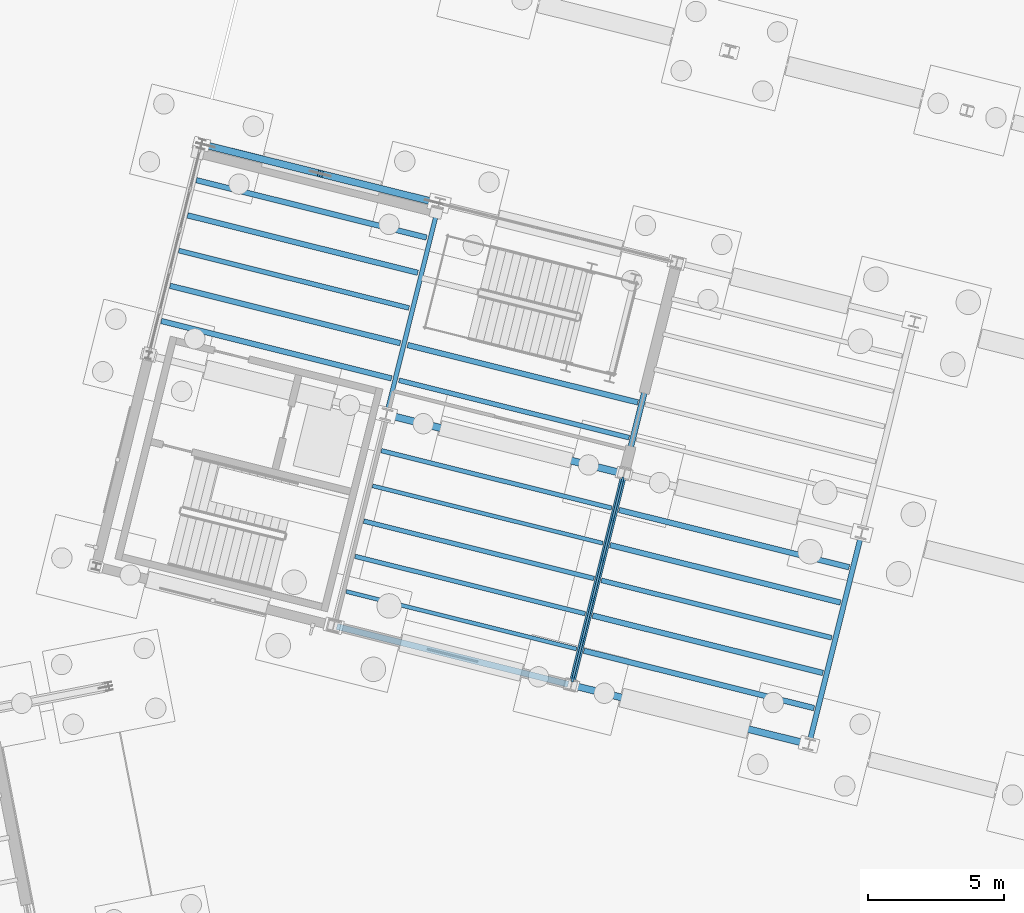
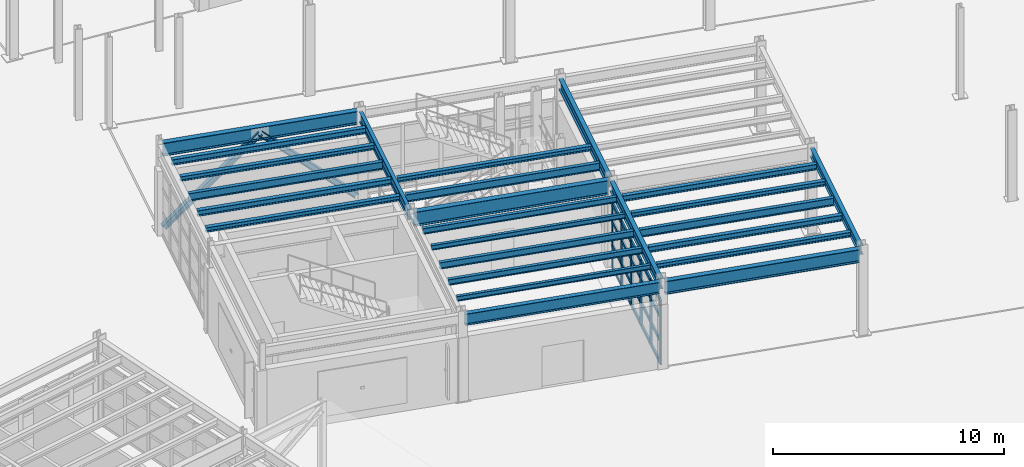
# One storey, part 40 of 108: 28 members, 25 beams, 1 element without a shape of its own.
"""IFC4 building model written with IfcOpenShell, lengths in metres."""

from ifc_helpers import new_model, si_unit, direction, frame, origin, origin_2d, place, context, subcontext, project, spatial, rectangle, i_section, extrude, material, layer, layer_set, material_profile, profile_set, type_object, element, aggregate, save


model = new_model("IFC4")

# Units and contexts
model_context = context("Model", 3, precision=1e-05, world=origin(), true_north=direction((0.0, 1.0)))
body_context = subcontext(model_context, "Body", "Model", "MODEL_VIEW")
ifc_project = project(units=[si_unit("LENGTHUNIT", "METRE"), si_unit("AREAUNIT", "SQUARE_METRE"), si_unit("VOLUMEUNIT", "CUBIC_METRE"), si_unit("PLANEANGLEUNIT", "RADIAN"), si_unit("MASSUNIT", "GRAM", prefix="KILO")], contexts=[model_context])

# Site, building, storey
site_placement = place(None, origin())
site = spatial("IfcSite", under=ifc_project, at=site_placement, CompositionType="ELEMENT")
building_placement = place(site_placement, origin())
building = spatial("IfcBuilding", under=site, at=building_placement, Name="Vireo Bluff Cable Station", CompositionType="ELEMENT")
storey_placement = place(building_placement, origin())
storey = spatial("IfcBuildingStorey", under=building, at=storey_placement, Name="L00", CompositionType="ELEMENT", Elevation=0.0)

# Beams
ifc_material_1 = material(Name="Steel ASTM A992 Gr. 50", Category="steel")
ifc_material_profile_1 = material_profile(ifc_material_1, i_section(OverallWidth=0.166015625, OverallDepth=0.528076171875, WebThickness=0.009765625, FlangeThickness=0.013671875, FilletRadius=0.012939453125, at=origin_2d()), Name="W21X50")
ifc_profile_set_1 = profile_set([ifc_material_profile_1], Name="Steel ASTM A992 Gr. 50")
beam_type_1 = type_object("IfcBeamType", Name="BM-W21X50", PredefinedType="BEAM", material=ifc_profile_set_1)
beam_1_placement = place(storey_placement, frame((64.697021484375, 43.701416015625, 4.27587890625), z_axis=(0.241935966891, 0.970292217801, 0.0), x_axis=(-0.970292217801, 0.241935966891, 0.0)))
element("IfcBeam", 1, at=beam_1_placement, inside=storey, type_object=beam_type_1, Name="V1 L00 beam 13", PredefinedType="BEAM", context=body_context, shape_type="SweptSolid", body=[
    extrude(i_section(OverallWidth=0.166015625, OverallDepth=0.528076171875, WebThickness=0.009765625, FlangeThickness=0.013671875, FilletRadius=0.012939453125, at=origin_2d()), origin(), (0.0, 0.0, 1.0), 7.760009765625),
])
ifc_material_profile_2 = material_profile(ifc_material_1, i_section(OverallWidth=0.2099609375, OverallDepth=0.535888671875, WebThickness=0.010986328125, FlangeThickness=0.017333984375, FilletRadius=0.012939453125, at=origin_2d()), Name="W21X68")
ifc_profile_set_2 = profile_set([ifc_material_profile_2], Name="Steel ASTM A992 Gr. 50")
beam_type_2 = type_object("IfcBeamType", Name="BM-W21X68", PredefinedType="BEAM", material=ifc_profile_set_2)
beam_2_placement = place(storey_placement, frame((71.494384765625, 33.761962890625, 4.27197265625), z_axis=(0.241913731831, 0.970297761696, 0.0), x_axis=(-0.970297761696, 0.241913731831, 0.0)))
element("IfcBeam", 2, at=beam_2_placement, inside=storey, type_object=beam_type_2, Name="V1 L00 beam 14", PredefinedType="BEAM", context=body_context, shape_type="SweptSolid", body=[
    extrude(i_section(OverallWidth=0.2099609375, OverallDepth=0.535888671875, WebThickness=0.010986328125, FlangeThickness=0.017333984375, FilletRadius=0.012939453125, at=origin_2d()), origin(), (0.0, 0.0, 1.0), 7.759765625),
])
ifc_material_profile_3 = material_profile(ifc_material_1, i_section(OverallWidth=0.214111328125, OverallDepth=0.549072265625, WebThickness=0.0146484375, FlangeThickness=0.023681640625, FilletRadius=0.012939453125, at=origin_2d()), Name="W21X93")
ifc_profile_set_3 = profile_set([ifc_material_profile_3], Name="Steel ASTM A992 Gr. 50")
beam_type_3 = type_object("IfcBeamType", Name="BM-W21X93", PredefinedType="BEAM", material=ifc_profile_set_3)
beam_3_placement = place(storey_placement, frame((73.4296875, 41.524169921875, 4.265380859375), z_axis=(0.241935966891, 0.970292217801, 0.0), x_axis=(-0.970292217801, 0.241935966891, 0.0)))
element("IfcBeam", 3, at=beam_3_placement, inside=storey, type_object=beam_type_3, Name="V1 L00 beam 15", PredefinedType="BEAM", context=body_context, shape_type="SweptSolid", body=[
    extrude(i_section(OverallWidth=0.214111328125, OverallDepth=0.549072265625, WebThickness=0.0146484375, FlangeThickness=0.023681640625, FilletRadius=0.012939453125, at=origin_2d()), origin(), (0.0, 0.0, 1.0), 7.760009765625),
])

# Members
ifc_material_profile_4 = material_profile(ifc_material_1, i_section(OverallWidth=0.2548828125, OverallDepth=0.256103515625, WebThickness=0.009521484375, FlangeThickness=0.015625, FilletRadius=0.009033203125, at=origin_2d()), Name="W10X54")
ifc_profile_set_4 = profile_set([ifc_material_profile_4], Name="Steel ASTM A992 Gr. 50")
member_type_1 = type_object("IfcMemberType", Name="BRC-02", PredefinedType="BRACE", material=ifc_profile_set_4)
member_1_placement = place(storey_placement, frame((58.02587890625, 53.486083984375, 0.0400390625), z_axis=(0.702103885307, -0.175068050943, 0.690218307331), x_axis=(0.241939969626, 0.970291219736, 0.0)))
element("IfcMember", 4, at=member_1_placement, inside=storey, type_object=member_type_1, Name="V1 L00 concentric brace 1L", PredefinedType="BRACE", context=body_context, shape_type="SweptSolid", body=[
    extrude(i_section(OverallWidth=0.2548828125, OverallDepth=0.256103515625, WebThickness=0.009521484375, FlangeThickness=0.015625, FilletRadius=0.009033203125, at=origin_2d()), origin(), (0.0, 0.0, 1.0), 5.998046875),
])
ifc_material_profile_5 = material_profile(ifc_material_1, i_section(OverallWidth=0.257080078125, OverallDepth=0.263916015625, WebThickness=0.011962890625, FlangeThickness=0.01953125, FilletRadius=0.009033203125, at=origin_2d()), Name="W10X68")
ifc_profile_set_5 = profile_set([ifc_material_profile_5], Name="Steel ASTM A992 Gr. 50")
member_type_2 = type_object("IfcMemberType", Name="BRC-03", PredefinedType="BRACE", material=ifc_profile_set_5)
member_2_placement = place(storey_placement, frame((66.4482421875, 51.38623046875, 0.0400390625), z_axis=(-0.702108887955, 0.175028594017, 0.690223225291), x_axis=(-0.241887009228, -0.970304423759, 0.0)))
element("IfcMember", 5, at=member_2_placement, inside=storey, type_object=member_type_2, Name="V1 L00 concentric brace 2R", PredefinedType="BRACE", context=body_context, shape_type="SweptSolid", body=[
    extrude(i_section(OverallWidth=0.257080078125, OverallDepth=0.263916015625, WebThickness=0.011962890625, FlangeThickness=0.01953125, FilletRadius=0.009033203125, at=origin_2d()), origin(), (0.0, 0.0, 1.0), 5.997802734375),
])

# Curtain wall, members
ifc_material_2 = material(Name="Anodized Aluminium 6063-T6", Category="aluminium")
ifc_layer = layer(ifc_material_2, 0.179931640625, Name="Anodized Aluminium 6063-T6")
ifc_layer_set = layer_set([ifc_layer], Name="Anodized Aluminium 6063-T6")
curtain_wall_type = type_object("IfcCurtainWallType", Name="CW-UNIT-1400", PredefinedType="USERDEFINED", material=ifc_layer_set)
curtain_wall_placement = place(storey_placement, origin())
curtain_wall = element("IfcCurtainWall", 6, at=curtain_wall_placement, inside=storey, type_object=curtain_wall_type, Name="V1 L00 east curtain wall CW-003", ObjectType="UNITISED CURTAIN WALL", PredefinedType="USERDEFINED")
ifc_material_profile_6 = material_profile(ifc_material_2, rectangle(XDim=0.080078125, YDim=0.239990234375, at=origin_2d()), Name="ALU-M-80X240")
ifc_profile_set_6 = profile_set([ifc_material_profile_6], Name="Anodized Aluminium 6063-T6")
member_type_3 = type_object("IfcMemberType", Name="CWM-04", PredefinedType="MULLION", material=ifc_profile_set_6)
member_3_placement = place(storey_placement, frame((73.340087890625, 41.164794921875, 0.0), z_axis=(0.0, 0.0, 1.0), x_axis=(0.970295706199, -0.241921976125, 0.0)))
member_3 = element("IfcMember", 7, at=member_3_placement, type_object=member_type_3, Name="CW-003 mullion 1", PredefinedType="MULLION", context=body_context, shape_type="SweptSolid", body=[
    extrude(rectangle(XDim=0.080078125, YDim=0.239990234375, at=origin_2d()), origin(), (0.0, 0.0, 1.0), 3.39990234375),
])
member_4_placement = place(storey_placement, frame((72.982666015625, 39.73095703125, 0.0), z_axis=(0.0, 0.0, 1.0), x_axis=(0.970295706199, -0.241921976125, 0.0)))
member_4 = element("IfcMember", 8, at=member_4_placement, type_object=member_type_3, Name="CW-003 mullion 2", PredefinedType="MULLION", context=body_context, shape_type="SweptSolid", body=[
    extrude(rectangle(XDim=0.080078125, YDim=0.239990234375, at=origin_2d()), origin(), (0.0, 0.0, 1.0), 3.39990234375),
])
member_5_placement = place(storey_placement, frame((72.615478515625, 38.258544921875, 0.0), z_axis=(0.0, 0.0, 1.0), x_axis=(0.970295706199, -0.241921976125, 0.0)))
member_5 = element("IfcMember", 9, at=member_5_placement, type_object=member_type_3, Name="CW-003 mullion 3", PredefinedType="MULLION", context=body_context, shape_type="SweptSolid", body=[
    extrude(rectangle(XDim=0.080078125, YDim=0.239990234375, at=origin_2d()), origin(), (0.0, 0.0, 1.0), 3.39990234375),
])
member_6_placement = place(storey_placement, frame((72.248291015625, 36.785888671875, 0.0), z_axis=(0.0, 0.0, 1.0), x_axis=(0.970295706199, -0.241921976125, 0.0)))
member_6 = element("IfcMember", 10, at=member_6_placement, type_object=member_type_3, Name="CW-003 mullion 4", PredefinedType="MULLION", context=body_context, shape_type="SweptSolid", body=[
    extrude(rectangle(XDim=0.080078125, YDim=0.239990234375, at=origin_2d()), origin(), (0.0, 0.0, 1.0), 3.39990234375),
])
member_7_placement = place(storey_placement, frame((71.881103515625, 35.3134765625, 0.0), z_axis=(0.0, 0.0, 1.0), x_axis=(0.970295706199, -0.241921976125, 0.0)))
member_7 = element("IfcMember", 11, at=member_7_placement, type_object=member_type_3, Name="CW-003 mullion 5", PredefinedType="MULLION", context=body_context, shape_type="SweptSolid", body=[
    extrude(rectangle(XDim=0.080078125, YDim=0.239990234375, at=origin_2d()), origin(), (0.0, 0.0, 1.0), 3.39990234375),
])
member_8_placement = place(storey_placement, frame((71.523681640625, 33.879638671875, 0.0), z_axis=(0.0, 0.0, 1.0), x_axis=(0.970295706199, -0.241921976125, 0.0)))
member_8 = element("IfcMember", 12, at=member_8_placement, type_object=member_type_3, Name="CW-003 mullion 6", PredefinedType="MULLION", context=body_context, shape_type="SweptSolid", body=[
    extrude(rectangle(XDim=0.080078125, YDim=0.239990234375, at=origin_2d()), origin(), (0.0, 0.0, 1.0), 3.39990234375),
])
ifc_material_profile_7 = material_profile(ifc_material_2, rectangle(XDim=0.080078125, YDim=0.175048828125, at=origin_2d()), Name="ALU-T-80X175")
ifc_profile_set_7 = profile_set([ifc_material_profile_7], Name="Anodized Aluminium 6063-T6")
member_type_4 = type_object("IfcMemberType", Name="CWT-04", PredefinedType="USERDEFINED", material=ifc_profile_set_7)
member_9_placement = place(storey_placement, frame((73.330322265625, 41.1259765625, 0.0400390625), z_axis=(-0.241754632145, -0.970337414427, 0.0), x_axis=(0.970337414427, -0.241754632145, 0.0)))
member_9 = element("IfcMember", 13, at=member_9_placement, type_object=member_type_4, Name="CW-003 transom 1.1", ObjectType="TRANSOM", PredefinedType="USERDEFINED", context=body_context, shape_type="SweptSolid", body=[
    extrude(rectangle(XDim=0.080078125, YDim=0.175048828125, at=origin_2d()), origin(), (0.0, 0.0, 1.0), 1.397705078125),
])
member_10_placement = place(storey_placement, frame((73.330322265625, 41.1259765625, 1.18994140625), z_axis=(-0.241754632145, -0.970337414427, 0.0), x_axis=(0.970337414427, -0.241754632145, 0.0)))
member_10 = element("IfcMember", 14, at=member_10_placement, type_object=member_type_4, Name="CW-003 transom 1.2", ObjectType="TRANSOM", PredefinedType="USERDEFINED", context=body_context, shape_type="SweptSolid", body=[
    extrude(rectangle(XDim=0.080078125, YDim=0.175048828125, at=origin_2d()), origin(), (0.0, 0.0, 1.0), 1.397705078125),
])
member_11_placement = place(storey_placement, frame((73.330322265625, 41.1259765625, 2.447998046875), z_axis=(-0.241754632145, -0.970337414427, 0.0), x_axis=(0.970337414427, -0.241754632145, 0.0)))
member_11 = element("IfcMember", 15, at=member_11_placement, type_object=member_type_4, Name="CW-003 transom 1.3", ObjectType="TRANSOM", PredefinedType="USERDEFINED", context=body_context, shape_type="SweptSolid", body=[
    extrude(rectangle(XDim=0.080078125, YDim=0.175048828125, at=origin_2d()), origin(), (0.0, 0.0, 1.0), 1.397705078125),
])
member_12_placement = place(storey_placement, frame((73.330322265625, 41.1259765625, 3.360107421875), z_axis=(-0.241754632145, -0.970337414427, 0.0), x_axis=(0.970337414427, -0.241754632145, 0.0)))
member_12 = element("IfcMember", 16, at=member_12_placement, type_object=member_type_4, Name="CW-003 transom 1.4", ObjectType="TRANSOM", PredefinedType="USERDEFINED", context=body_context, shape_type="SweptSolid", body=[
    extrude(rectangle(XDim=0.080078125, YDim=0.175048828125, at=origin_2d()), origin(), (0.0, 0.0, 1.0), 1.397705078125),
])
member_13_placement = place(storey_placement, frame((72.972900390625, 39.692138671875, 0.0400390625), z_axis=(-0.241856194235, -0.970312105103, 0.0), x_axis=(0.970312105103, -0.241856194235, 0.0)))
member_13 = element("IfcMember", 17, at=member_13_placement, type_object=member_type_4, Name="CW-003 transom 2.1", ObjectType="TRANSOM", PredefinedType="USERDEFINED", context=body_context, shape_type="SweptSolid", body=[
    extrude(rectangle(XDim=0.080078125, YDim=0.175048828125, at=origin_2d()), origin(), (0.0, 0.0, 1.0), 1.4375),
])
member_14_placement = place(storey_placement, frame((72.972900390625, 39.692138671875, 1.18994140625), z_axis=(-0.241856194235, -0.970312105103, 0.0), x_axis=(0.970312105103, -0.241856194235, 0.0)))
member_14 = element("IfcMember", 18, at=member_14_placement, type_object=member_type_4, Name="CW-003 transom 2.2", ObjectType="TRANSOM", PredefinedType="USERDEFINED", context=body_context, shape_type="SweptSolid", body=[
    extrude(rectangle(XDim=0.080078125, YDim=0.175048828125, at=origin_2d()), origin(), (0.0, 0.0, 1.0), 1.4375),
])
member_15_placement = place(storey_placement, frame((72.972900390625, 39.692138671875, 2.447998046875), z_axis=(-0.241856194235, -0.970312105103, 0.0), x_axis=(0.970312105103, -0.241856194235, 0.0)))
member_15 = element("IfcMember", 19, at=member_15_placement, type_object=member_type_4, Name="CW-003 transom 2.3", ObjectType="TRANSOM", PredefinedType="USERDEFINED", context=body_context, shape_type="SweptSolid", body=[
    extrude(rectangle(XDim=0.080078125, YDim=0.175048828125, at=origin_2d()), origin(), (0.0, 0.0, 1.0), 1.4375),
])
member_16_placement = place(storey_placement, frame((72.972900390625, 39.692138671875, 3.360107421875), z_axis=(-0.241856194235, -0.970312105103, 0.0), x_axis=(0.970312105103, -0.241856194235, 0.0)))
member_16 = element("IfcMember", 20, at=member_16_placement, type_object=member_type_4, Name="CW-003 transom 2.4", ObjectType="TRANSOM", PredefinedType="USERDEFINED", context=body_context, shape_type="SweptSolid", body=[
    extrude(rectangle(XDim=0.080078125, YDim=0.175048828125, at=origin_2d()), origin(), (0.0, 0.0, 1.0), 1.4375),
])
member_17_placement = place(storey_placement, frame((72.605712890625, 38.2197265625, 0.0400390625), z_axis=(-0.241816342564, -0.970322037506, 0.0), x_axis=(0.970322037506, -0.241816342564, 0.0)))
member_17 = element("IfcMember", 21, at=member_17_placement, type_object=member_type_4, Name="CW-003 transom 3.1", ObjectType="TRANSOM", PredefinedType="USERDEFINED", context=body_context, shape_type="SweptSolid", body=[
    extrude(rectangle(XDim=0.080078125, YDim=0.175048828125, at=origin_2d()), origin(), (0.0, 0.0, 1.0), 1.437744140625),
])
member_18_placement = place(storey_placement, frame((72.605712890625, 38.2197265625, 1.18994140625), z_axis=(-0.241816342564, -0.970322037506, 0.0), x_axis=(0.970322037506, -0.241816342564, 0.0)))
member_18 = element("IfcMember", 22, at=member_18_placement, type_object=member_type_4, Name="CW-003 transom 3.2", ObjectType="TRANSOM", PredefinedType="USERDEFINED", context=body_context, shape_type="SweptSolid", body=[
    extrude(rectangle(XDim=0.080078125, YDim=0.175048828125, at=origin_2d()), origin(), (0.0, 0.0, 1.0), 1.437744140625),
])
member_19_placement = place(storey_placement, frame((72.605712890625, 38.2197265625, 2.447998046875), z_axis=(-0.241816342564, -0.970322037506, 0.0), x_axis=(0.970322037506, -0.241816342564, 0.0)))
member_19 = element("IfcMember", 23, at=member_19_placement, type_object=member_type_4, Name="CW-003 transom 3.3", ObjectType="TRANSOM", PredefinedType="USERDEFINED", context=body_context, shape_type="SweptSolid", body=[
    extrude(rectangle(XDim=0.080078125, YDim=0.175048828125, at=origin_2d()), origin(), (0.0, 0.0, 1.0), 1.437744140625),
])
member_20_placement = place(storey_placement, frame((72.605712890625, 38.2197265625, 3.360107421875), z_axis=(-0.241816342564, -0.970322037506, 0.0), x_axis=(0.970322037506, -0.241816342564, 0.0)))
member_20 = element("IfcMember", 24, at=member_20_placement, type_object=member_type_4, Name="CW-003 transom 3.4", ObjectType="TRANSOM", PredefinedType="USERDEFINED", context=body_context, shape_type="SweptSolid", body=[
    extrude(rectangle(XDim=0.080078125, YDim=0.175048828125, at=origin_2d()), origin(), (0.0, 0.0, 1.0), 1.437744140625),
])
member_21_placement = place(storey_placement, frame((72.23876953125, 36.7470703125, 0.0400390625), z_axis=(-0.242016092356, -0.97027223553, 0.0), x_axis=(0.97027223553, -0.242016092356, 0.0)))
member_21 = element("IfcMember", 25, at=member_21_placement, type_object=member_type_4, Name="CW-003 transom 4.1", ObjectType="TRANSOM", PredefinedType="USERDEFINED", context=body_context, shape_type="SweptSolid", body=[
    extrude(rectangle(XDim=0.080078125, YDim=0.175048828125, at=origin_2d()), origin(), (0.0, 0.0, 1.0), 1.4375),
])
member_22_placement = place(storey_placement, frame((72.23876953125, 36.7470703125, 1.18994140625), z_axis=(-0.242016092356, -0.97027223553, 0.0), x_axis=(0.97027223553, -0.242016092356, 0.0)))
member_22 = element("IfcMember", 26, at=member_22_placement, type_object=member_type_4, Name="CW-003 transom 4.2", ObjectType="TRANSOM", PredefinedType="USERDEFINED", context=body_context, shape_type="SweptSolid", body=[
    extrude(rectangle(XDim=0.080078125, YDim=0.175048828125, at=origin_2d()), origin(), (0.0, 0.0, 1.0), 1.4375),
])
member_23_placement = place(storey_placement, frame((72.23876953125, 36.7470703125, 2.447998046875), z_axis=(-0.242016092356, -0.97027223553, 0.0), x_axis=(0.97027223553, -0.242016092356, 0.0)))
member_23 = element("IfcMember", 27, at=member_23_placement, type_object=member_type_4, Name="CW-003 transom 4.3", ObjectType="TRANSOM", PredefinedType="USERDEFINED", context=body_context, shape_type="SweptSolid", body=[
    extrude(rectangle(XDim=0.080078125, YDim=0.175048828125, at=origin_2d()), origin(), (0.0, 0.0, 1.0), 1.4375),
])
member_24_placement = place(storey_placement, frame((72.23876953125, 36.7470703125, 3.360107421875), z_axis=(-0.242016092356, -0.97027223553, 0.0), x_axis=(0.97027223553, -0.242016092356, 0.0)))
member_24 = element("IfcMember", 28, at=member_24_placement, type_object=member_type_4, Name="CW-003 transom 4.4", ObjectType="TRANSOM", PredefinedType="USERDEFINED", context=body_context, shape_type="SweptSolid", body=[
    extrude(rectangle(XDim=0.080078125, YDim=0.175048828125, at=origin_2d()), origin(), (0.0, 0.0, 1.0), 1.4375),
])
member_25_placement = place(storey_placement, frame((71.87158203125, 35.274658203125, 0.0400390625), z_axis=(-0.241919090807, -0.970296425585, 0.0), x_axis=(0.970296425585, -0.241919090807, 0.0)))
member_25 = element("IfcMember", 29, at=member_25_placement, type_object=member_type_4, Name="CW-003 transom 5.1", ObjectType="TRANSOM", PredefinedType="USERDEFINED", context=body_context, shape_type="SweptSolid", body=[
    extrude(rectangle(XDim=0.080078125, YDim=0.175048828125, at=origin_2d()), origin(), (0.0, 0.0, 1.0), 1.397705078125),
])
member_26_placement = place(storey_placement, frame((71.87158203125, 35.274658203125, 1.18994140625), z_axis=(-0.241919090807, -0.970296425585, 0.0), x_axis=(0.970296425585, -0.241919090807, 0.0)))
member_26 = element("IfcMember", 30, at=member_26_placement, type_object=member_type_4, Name="CW-003 transom 5.2", ObjectType="TRANSOM", PredefinedType="USERDEFINED", context=body_context, shape_type="SweptSolid", body=[
    extrude(rectangle(XDim=0.080078125, YDim=0.175048828125, at=origin_2d()), origin(), (0.0, 0.0, 1.0), 1.397705078125),
])
member_27_placement = place(storey_placement, frame((71.87158203125, 35.274658203125, 2.447998046875), z_axis=(-0.241919090807, -0.970296425585, 0.0), x_axis=(0.970296425585, -0.241919090807, 0.0)))
member_27 = element("IfcMember", 31, at=member_27_placement, type_object=member_type_4, Name="CW-003 transom 5.3", ObjectType="TRANSOM", PredefinedType="USERDEFINED", context=body_context, shape_type="SweptSolid", body=[
    extrude(rectangle(XDim=0.080078125, YDim=0.175048828125, at=origin_2d()), origin(), (0.0, 0.0, 1.0), 1.397705078125),
])
member_28_placement = place(storey_placement, frame((71.87158203125, 35.274658203125, 3.360107421875), z_axis=(-0.241919090807, -0.970296425585, 0.0), x_axis=(0.970296425585, -0.241919090807, 0.0)))
member_28 = element("IfcMember", 32, at=member_28_placement, type_object=member_type_4, Name="CW-003 transom 5.4", ObjectType="TRANSOM", PredefinedType="USERDEFINED", context=body_context, shape_type="SweptSolid", body=[
    extrude(rectangle(XDim=0.080078125, YDim=0.175048828125, at=origin_2d()), origin(), (0.0, 0.0, 1.0), 1.397705078125),
])
aggregate(curtain_wall, [member_3, member_4, member_5, member_6, member_7, member_8, member_9, member_10, member_11, member_12, member_13, member_14, member_15, member_16, member_17, member_18, member_19, member_20, member_21, member_22, member_23, member_24, member_25, member_26, member_27, member_28])

# Beams
ifc_material_profile_8 = material_profile(ifc_material_1, i_section(OverallWidth=0.264892578125, OverallDepth=0.7529296875, WebThickness=0.01318359375, FlangeThickness=0.01708984375, FilletRadius=0.01611328125, at=origin_2d()), Name="W30X99")
ifc_profile_set_8 = profile_set([ifc_material_profile_8], Name="Steel ASTM A992 Gr. 50")
beam_type_4 = type_object("IfcBeamType", Name="GIR-W30X99", PredefinedType="USERDEFINED", material=ifc_profile_set_8)
beam_4_placement = place(storey_placement, frame((64.784423828125, 43.55615234375, 4.16357421875), z_axis=(0.970291502693, -0.241938834838, 0.0), x_axis=(0.241938834838, 0.970291502693, 0.0)))
element("IfcBeam", 33, at=beam_4_placement, inside=storey, type_object=beam_type_4, Name="V1 L00 girder 5", ObjectType="GIRDER", PredefinedType="USERDEFINED", context=body_context, shape_type="SweptSolid", body=[
    extrude(i_section(OverallWidth=0.264892578125, OverallDepth=0.7529296875, WebThickness=0.01318359375, FlangeThickness=0.01708984375, FilletRadius=0.01611328125, at=origin_2d()), origin(), (0.0, 0.0, 1.0), 8.760009765625),
])
ifc_material_profile_9 = material_profile(ifc_material_1, i_section(OverallWidth=0.14599609375, OverallDepth=0.259033203125, WebThickness=0.006103515625, FlangeThickness=0.009033203125, FilletRadius=0.009033203125, at=origin_2d()), Name="W10X22")
ifc_profile_set_9 = profile_set([ifc_material_profile_9], Name="Steel ASTM A992 Gr. 50")
beam_type_5 = type_object("IfcBeamType", Name="JST-W10X22", PredefinedType="JOIST", material=ifc_profile_set_9)
for number, where, z_axis, x_axis, name in (
    (34, (63.191162109375, 37.08251953125, 4.410400390625), (0.970293828661, -0.24192950639, 0.0), (0.24192950639, 0.970293828661, 0.0), "V1 L00 composite joist 23"),
    (35, (64.15869140625, 40.963623046875, 4.410400390625), (0.970300400641, -0.241903146974, 0.0), (0.241903146974, 0.970300400641, 0.0), "V1 L00 composite joist 26"),
):
    element("IfcBeam", number, at=place(storey_placement, frame(where, z_axis=z_axis, x_axis=x_axis)), inside=storey, type_object=beam_type_5, Name=name, PredefinedType="JOIST", context=body_context, shape_type="SweptSolid", body=[
        extrude(i_section(OverallWidth=0.14599609375, OverallDepth=0.259033203125, WebThickness=0.006103515625, FlangeThickness=0.009033203125, FilletRadius=0.009033203125, at=origin_2d()), origin(), (0.0, 0.0, 1.0), 8.719970703125),
    ])
ifc_material_profile_10 = material_profile(ifc_material_1, i_section(OverallWidth=0.201904296875, OverallDepth=0.2470703125, WebThickness=0.00732421875, FlangeThickness=0.010986328125, FilletRadius=0.009033203125, at=origin_2d()), Name="W10X33")
ifc_profile_set_10 = profile_set([ifc_material_profile_10], Name="Steel ASTM A992 Gr. 50")
beam_type_6 = type_object("IfcBeamType", Name="JST-W10X33", PredefinedType="JOIST", material=ifc_profile_set_10)
for number, where, z_axis, x_axis, name in (
    (36, (56.393798828125, 47.022216796875, 4.41650390625), (0.970293828661, -0.24192950639, 0.0), (0.24192950639, 0.970293828661, 0.0), "V1 L00 composite joist 18"),
    (37, (57.361572265625, 50.9033203125, 4.41650390625), (0.970300400641, -0.241903146974, 0.0), (0.241903146974, 0.970300400641, 0.0), "V1 L00 composite joist 21"),
    (38, (65.448974609375, 46.138671875, 4.41650390625), (0.970293828661, -0.24192950639, 0.0), (0.24192950639, 0.970293828661, 0.0), "V1 L00 composite joist 29"),
    (39, (71.923828125, 34.9052734375, 4.41650390625), (0.970293828661, -0.24192950639, 0.0), (0.24192950639, 0.970293828661, 0.0), "V1 L00 composite joist 30"),
    (40, (72.891357421875, 38.786376953125, 4.41650390625), (0.970300400641, -0.241903146974, 0.0), (0.241903146974, 0.970300400641, 0.0), "V1 L00 composite joist 33"),
):
    element("IfcBeam", number, at=place(storey_placement, frame(where, z_axis=z_axis, x_axis=x_axis)), inside=storey, type_object=beam_type_6, Name=name, PredefinedType="JOIST", context=body_context, shape_type="SweptSolid", body=[
        extrude(i_section(OverallWidth=0.201904296875, OverallDepth=0.2470703125, WebThickness=0.00732421875, FlangeThickness=0.010986328125, FilletRadius=0.009033203125, at=origin_2d()), origin(), (0.0, 0.0, 1.0), 8.719970703125),
    ])
ifc_material_profile_11 = material_profile(ifc_material_1, i_section(OverallWidth=0.1650390625, OverallDepth=0.31005859375, WebThickness=0.005859375, FlangeThickness=0.009765625, FilletRadius=0.010009765625, at=origin_2d()), Name="W12X26")
ifc_profile_set_11 = profile_set([ifc_material_profile_11], Name="Steel ASTM A992 Gr. 50")
beam_type_7 = type_object("IfcBeamType", Name="JST-W12X26", PredefinedType="JOIST", material=ifc_profile_set_11)
beam_5_placement = place(storey_placement, frame((63.513671875, 38.376220703125, 4.385009765625), z_axis=(0.970300400641, -0.241903146974, 0.0), x_axis=(0.241903146974, 0.970300400641, 0.0)))
element("IfcBeam", 41, at=beam_5_placement, inside=storey, type_object=beam_type_7, Name="V1 L00 composite joist 24", PredefinedType="JOIST", context=body_context, shape_type="SweptSolid", body=[
    extrude(i_section(OverallWidth=0.1650390625, OverallDepth=0.31005859375, WebThickness=0.005859375, FlangeThickness=0.009765625, FilletRadius=0.010009765625, at=origin_2d()), origin(), (0.0, 0.0, 1.0), 8.719970703125),
])
beam_6_placement = place(storey_placement, frame((64.481201171875, 42.257568359375, 4.385009765625), z_axis=(0.970295467306, -0.24192293427, 0.0), x_axis=(0.24192293427, 0.970295467306, 0.0)))
element("IfcBeam", 42, at=beam_6_placement, inside=storey, type_object=beam_type_7, Name="V1 L00 composite joist 27", PredefinedType="JOIST", context=body_context, shape_type="SweptSolid", body=[
    extrude(i_section(OverallWidth=0.1650390625, OverallDepth=0.31005859375, WebThickness=0.005859375, FlangeThickness=0.009765625, FilletRadius=0.010009765625, at=origin_2d()), origin(), (0.0, 0.0, 1.0), 8.72021484375),
])
ifc_material_profile_12 = material_profile(ifc_material_1, i_section(OverallWidth=0.202880859375, OverallDepth=0.302978515625, WebThickness=0.007568359375, FlangeThickness=0.01318359375, FilletRadius=0.010009765625, at=origin_2d()), Name="W12X40")
ifc_profile_set_12 = profile_set([ifc_material_profile_12], Name="Steel ASTM A992 Gr. 50")
beam_type_8 = type_object("IfcBeamType", Name="JST-W12X40", PredefinedType="JOIST", material=ifc_profile_set_12)
for number, where, z_axis, x_axis, name in (
    (43, (56.71630859375, 48.31591796875, 4.388427734375), (0.970293828661, -0.24192950639, 0.0), (0.24192950639, 0.970293828661, 0.0), "V1 L00 composite joist 19"),
    (44, (57.68408203125, 52.197021484375, 4.388427734375), (0.970300400641, -0.241903146974, 0.0), (0.241903146974, 0.970300400641, 0.0), "V1 L00 composite joist 22"),
    (45, (72.246337890625, 36.198974609375, 4.388427734375), (0.970293828661, -0.24192950639, 0.0), (0.24192950639, 0.970293828661, 0.0), "V1 L00 composite joist 31"),
):
    element("IfcBeam", number, at=place(storey_placement, frame(where, z_axis=z_axis, x_axis=x_axis)), inside=storey, type_object=beam_type_8, Name=name, PredefinedType="JOIST", context=body_context, shape_type="SweptSolid", body=[
        extrude(i_section(OverallWidth=0.202880859375, OverallDepth=0.302978515625, WebThickness=0.007568359375, FlangeThickness=0.01318359375, FilletRadius=0.010009765625, at=origin_2d()), origin(), (0.0, 0.0, 1.0), 8.719970703125),
    ])
beam_7_placement = place(storey_placement, frame((73.2138671875, 40.080078125, 4.388427734375), z_axis=(0.97030203894, -0.241896575481, 0.0), x_axis=(0.241896575481, 0.97030203894, 0.0)))
element("IfcBeam", 46, at=beam_7_placement, inside=storey, type_object=beam_type_8, Name="V1 L00 composite joist 34", PredefinedType="JOIST", context=body_context, shape_type="SweptSolid", body=[
    extrude(i_section(OverallWidth=0.202880859375, OverallDepth=0.302978515625, WebThickness=0.007568359375, FlangeThickness=0.01318359375, FilletRadius=0.010009765625, at=origin_2d()), origin(), (0.0, 0.0, 1.0), 8.72021484375),
])
ifc_material_profile_13 = material_profile(ifc_material_1, i_section(OverallWidth=0.1708984375, OverallDepth=0.35107421875, WebThickness=0.0068359375, FlangeThickness=0.009765625, FilletRadius=0.010009765625, at=origin_2d()), Name="W14X30")
ifc_profile_set_13 = profile_set([ifc_material_profile_13], Name="Steel ASTM A992 Gr. 50")
beam_type_9 = type_object("IfcBeamType", Name="JST-W14X30", PredefinedType="JOIST", material=ifc_profile_set_13)
beam_8_placement = place(storey_placement, frame((63.836181640625, 39.669921875, 4.364501953125), z_axis=(0.970300400641, -0.241903146974, 0.0), x_axis=(0.241903146974, 0.970300400641, 0.0)))
element("IfcBeam", 47, at=beam_8_placement, inside=storey, type_object=beam_type_9, Name="V1 L00 composite joist 25", PredefinedType="JOIST", context=body_context, shape_type="SweptSolid", body=[
    extrude(i_section(OverallWidth=0.1708984375, OverallDepth=0.35107421875, WebThickness=0.0068359375, FlangeThickness=0.009765625, FilletRadius=0.010009765625, at=origin_2d()), origin(), (0.0, 0.0, 1.0), 8.719970703125),
])
ifc_material_profile_14 = material_profile(ifc_material_1, i_section(OverallWidth=0.177978515625, OverallDepth=0.404052734375, WebThickness=0.007568359375, FlangeThickness=0.010986328125, FilletRadius=0.010009765625, at=origin_2d()), Name="W16X36")
ifc_profile_set_14 = profile_set([ifc_material_profile_14], Name="Steel ASTM A992 Gr. 50")
beam_type_10 = type_object("IfcBeamType", Name="JST-W16X36", PredefinedType="JOIST", material=ifc_profile_set_14)
beam_9_placement = place(storey_placement, frame((57.038818359375, 49.609619140625, 4.337890625), z_axis=(0.970295467306, -0.24192293427, 0.0), x_axis=(0.24192293427, 0.970295467306, 0.0)))
element("IfcBeam", 48, at=beam_9_placement, inside=storey, type_object=beam_type_10, Name="V1 L00 composite joist 20", PredefinedType="JOIST", context=body_context, shape_type="SweptSolid", body=[
    extrude(i_section(OverallWidth=0.177978515625, OverallDepth=0.404052734375, WebThickness=0.007568359375, FlangeThickness=0.010986328125, FilletRadius=0.010009765625, at=origin_2d()), origin(), (0.0, 0.0, 1.0), 8.72021484375),
])
for number, where, z_axis, x_axis, name in (
    (49, (65.12646484375, 44.844970703125, 4.337890625), (0.970293828661, -0.24192950639, 0.0), (0.24192950639, 0.970293828661, 0.0), "V1 L00 composite joist 28"),
    (50, (72.56884765625, 37.49267578125, 4.337890625), (0.970293828661, -0.24192950639, 0.0), (0.24192950639, 0.970293828661, 0.0), "V1 L00 composite joist 32"),
):
    element("IfcBeam", number, at=place(storey_placement, frame(where, z_axis=z_axis, x_axis=x_axis)), inside=storey, type_object=beam_type_10, Name=name, PredefinedType="JOIST", context=body_context, shape_type="SweptSolid", body=[
        extrude(i_section(OverallWidth=0.177978515625, OverallDepth=0.404052734375, WebThickness=0.007568359375, FlangeThickness=0.010986328125, FilletRadius=0.010009765625, at=origin_2d()), origin(), (0.0, 0.0, 1.0), 8.719970703125),
    ])
ifc_material_profile_15 = material_profile(ifc_material_1, i_section(OverallWidth=0.19091796875, OverallDepth=0.45703125, WebThickness=0.009033203125, FlangeThickness=0.014404296875, FilletRadius=0.011962890625, at=origin_2d()), Name="W18X50")
ifc_profile_set_15 = profile_set([ifc_material_profile_15], Name="Steel ASTM A992 Gr. 50")
beam_type_11 = type_object("IfcBeamType", Name="SPN-W18X50", PredefinedType="SPANDREL", material=ifc_profile_set_15)
beam_10_placement = place(storey_placement, frame((80.22705078125, 31.58447265625, 4.3115234375), z_axis=(0.241906346953, 0.970299602857, 0.0), x_axis=(-0.970299602857, 0.241906346953, 0.0)))
element("IfcBeam", 51, at=beam_10_placement, inside=storey, type_object=beam_type_11, Name="V1 L00 spandrel 16", PredefinedType="SPANDREL", context=body_context, shape_type="SweptSolid", body=[
    extrude(i_section(OverallWidth=0.19091796875, OverallDepth=0.45703125, WebThickness=0.009033203125, FlangeThickness=0.014404296875, FilletRadius=0.011962890625, at=origin_2d()), origin(), (0.0, 0.0, 1.0), 7.760009765625),
])
ifc_material_profile_16 = material_profile(ifc_material_1, i_section(OverallWidth=0.22802734375, OverallDepth=0.60693359375, WebThickness=0.01123046875, FlangeThickness=0.017333984375, FilletRadius=0.012939453125, at=origin_2d()), Name="W24X76")
ifc_profile_set_16 = profile_set([ifc_material_profile_16], Name="Steel ASTM A992 Gr. 50")
beam_type_12 = type_object("IfcBeamType", Name="SPN-W24X76", PredefinedType="SPANDREL", material=ifc_profile_set_16)
beam_11_placement = place(storey_placement, frame((62.84912109375, 35.793701171875, 4.236572265625), z_axis=(0.970291502693, -0.241938834838, 0.0), x_axis=(0.241938834838, 0.970291502693, 0.0)))
element("IfcBeam", 52, at=beam_11_placement, inside=storey, type_object=beam_type_12, Name="V1 L00 spandrel 2", PredefinedType="SPANDREL", context=body_context, shape_type="SweptSolid", body=[
    extrude(i_section(OverallWidth=0.22802734375, OverallDepth=0.60693359375, WebThickness=0.01123046875, FlangeThickness=0.017333984375, FilletRadius=0.012939453125, at=origin_2d()), origin(), (0.0, 0.0, 1.0), 8.760009765625),
])
ifc_material_profile_17 = material_profile(ifc_material_1, i_section(OverallWidth=0.257080078125, OverallDepth=0.693115234375, WebThickness=0.014404296875, FlangeThickness=0.023681640625, FilletRadius=0.014892578125, at=origin_2d()), Name="W27X114")
ifc_profile_set_17 = profile_set([ifc_material_profile_17], Name="Steel ASTM A992 Gr. 50")
beam_type_13 = type_object("IfcBeamType", Name="SPN-W27X114", PredefinedType="SPANDREL", material=ifc_profile_set_17)
for number, where, z_axis, x_axis, name in (
    (53, (71.581787109375, 33.616455078125, 4.193603515625), (0.970291502693, -0.241938834838, 0.0), (0.241938834838, 0.970291502693, 0.0), "V1 L00 spandrel 3"),
    (54, (57.9873046875, 53.49560546875, 4.193603515625), (0.970298044881, -0.241912595995, 0.0), (0.241912595995, 0.970298044881, 0.0), "V1 L00 spandrel 7"),
):
    element("IfcBeam", number, at=place(storey_placement, frame(where, z_axis=z_axis, x_axis=x_axis)), inside=storey, type_object=beam_type_13, Name=name, PredefinedType="SPANDREL", context=body_context, shape_type="SweptSolid", body=[
        extrude(i_section(OverallWidth=0.257080078125, OverallDepth=0.693115234375, WebThickness=0.014404296875, FlangeThickness=0.023681640625, FilletRadius=0.014892578125, at=origin_2d()), origin(), (0.0, 0.0, 1.0), 8.760009765625),
    ])

save(model, "model.ifc")
